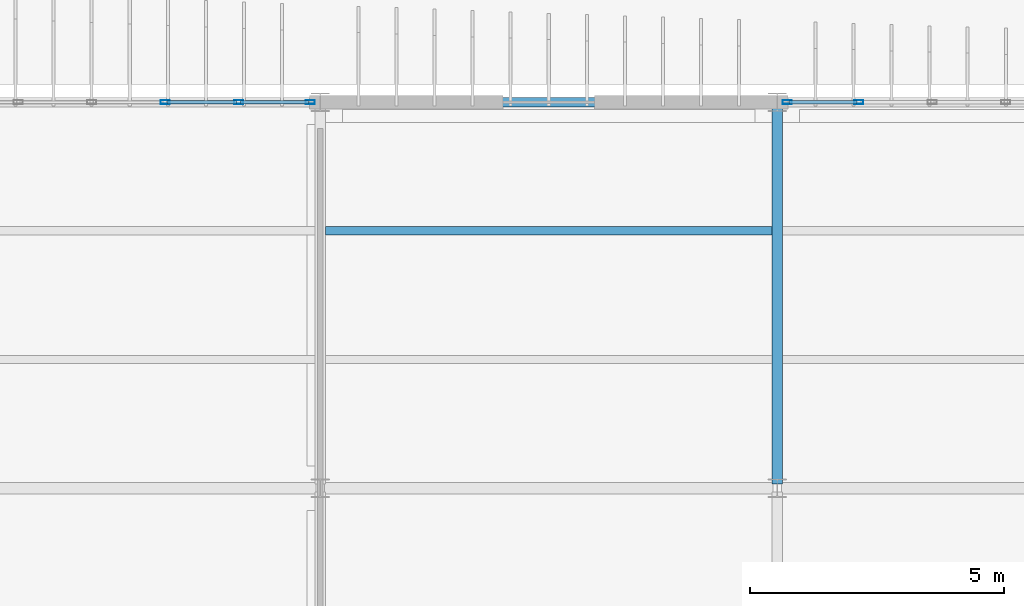
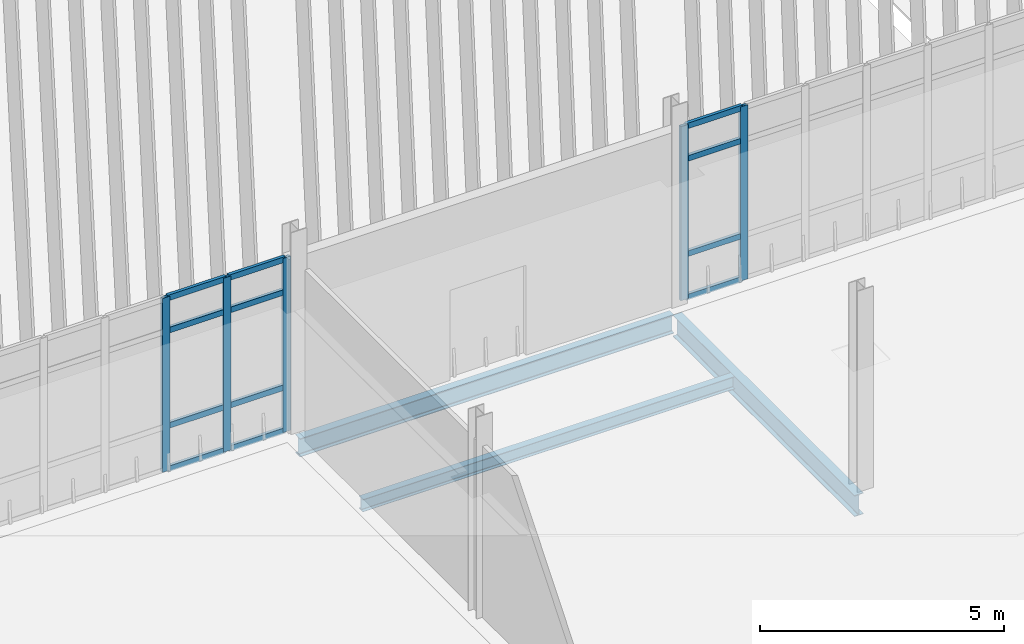
# One storey, part 50 of 161: 17 members, 3 beams, 2 elements without a shape of their own.
"""IFC4 building model written with IfcOpenShell, lengths in metres."""

from ifc_helpers import new_model, si_unit, direction, frame, origin, origin_2d, place, context, subcontext, project, spatial, hollow_rectangle, i_section, extrude, material, material_profile, profile_set, type_object, element, aggregate, save


model = new_model("IFC4")

# Units and contexts
model_context = context("Model", 3, precision=1e-05, world=origin(), true_north=direction((0.0, 1.0)))
body_context = subcontext(model_context, "Body", "Model", "MODEL_VIEW")
ifc_project = project(units=[si_unit("LENGTHUNIT", "METRE"), si_unit("AREAUNIT", "SQUARE_METRE"), si_unit("VOLUMEUNIT", "CUBIC_METRE"), si_unit("PLANEANGLEUNIT", "RADIAN"), si_unit("MASSUNIT", "GRAM", prefix="KILO")], contexts=[model_context])

# Site, building, storey
site_placement = place(None, origin())
site = spatial("IfcSite", under=ifc_project, at=site_placement, CompositionType="ELEMENT")
building_placement = place(site_placement, origin())
building = spatial("IfcBuilding", under=site, at=building_placement, Name="Caisbarro Railhouse Central Library", CompositionType="ELEMENT")
storey_placement = place(building_placement, origin())
storey = spatial("IfcBuildingStorey", under=building, at=storey_placement, Name="L00", CompositionType="ELEMENT", Elevation=0.0)

# Beams
ifc_material_1 = material(Name="Steel ASTM A572 Grade 50", Category="steel")
ifc_material_profile_1 = material_profile(ifc_material_1, i_section(OverallWidth=0.208984375, OverallDepth=0.532958984375, WebThickness=0.01025390625, FlangeThickness=0.015625, FilletRadius=0.02001953125, at=origin_2d()), Name="W530X92.0")
ifc_profile_set_1 = profile_set([ifc_material_profile_1], Name="Steel ASTM A572 Grade 50")
beam_type_1 = type_object("IfcBeamType", Name="BM-G06", PredefinedType="BEAM", material=ifc_profile_set_1)
beam_1_placement = place(storey_placement, frame((45.0, 53.280029296875, -0.5166015625), z_axis=(0.0, 1.0, 0.0), x_axis=(-1.0, 0.0, 0.0)))
element("IfcBeam", 1, at=beam_1_placement, inside=storey, type_object=beam_type_1, Name="G06 beam L00 #306", PredefinedType="BEAM", context=body_context, shape_type="SweptSolid", body=[
    extrude(i_section(OverallWidth=0.208984375, OverallDepth=0.532958984375, WebThickness=0.01025390625, FlangeThickness=0.015625, FilletRadius=0.02001953125, at=origin_2d()), origin(), (0.0, 0.0, 1.0), 7.43994140625),
])
ifc_material_profile_2 = material_profile(ifc_material_1, i_section(OverallWidth=0.1650390625, OverallDepth=0.31005859375, WebThickness=0.005859375, FlangeThickness=0.009765625, FilletRadius=0.011962890625, at=origin_2d()), Name="W310X38.7")
ifc_profile_set_2 = profile_set([ifc_material_profile_2], Name="Steel ASTM A572 Grade 50")
beam_type_2 = type_object("IfcBeamType", Name="BM-J03", PredefinedType="JOIST", material=ifc_profile_set_2)
beam_2_placement = place(storey_placement, frame((36.1044921875, 58.2666015625, -0.405029296875), z_axis=(1.0, 0.0, 0.0), x_axis=(0.0, 1.0, 0.0)))
element("IfcBeam", 2, at=beam_2_placement, inside=storey, type_object=beam_type_2, Name="J03 beam L00 #358", PredefinedType="JOIST", context=body_context, shape_type="SweptSolid", body=[
    extrude(i_section(OverallWidth=0.1650390625, OverallDepth=0.31005859375, WebThickness=0.005859375, FlangeThickness=0.009765625, FilletRadius=0.011962890625, at=origin_2d()), origin(), (0.0, 0.0, 1.0), 8.791015625),
])
ifc_material_profile_3 = material_profile(ifc_material_1, i_section(OverallWidth=0.18994140625, OverallDepth=0.45703125, WebThickness=0.009033203125, FlangeThickness=0.014404296875, FilletRadius=0.01806640625, at=origin_2d()), Name="W460X74.0")
ifc_profile_set_3 = profile_set([ifc_material_profile_3], Name="Steel ASTM A572 Grade 50")
beam_type_3 = type_object("IfcBeamType", Name="BM-SP01", PredefinedType="SPANDREL", material=ifc_profile_set_3)
beam_3_placement = place(storey_placement, frame((36.080078125, 60.800048828125, -0.478515625), z_axis=(1.0, 0.0, 0.0), x_axis=(0.0, 1.0, 0.0)))
element("IfcBeam", 3, at=beam_3_placement, inside=storey, type_object=beam_type_3, Name="SP01 beam L00 #279", PredefinedType="SPANDREL", context=body_context, shape_type="SweptSolid", body=[
    extrude(i_section(OverallWidth=0.18994140625, OverallDepth=0.45703125, WebThickness=0.009033203125, FlangeThickness=0.014404296875, FilletRadius=0.01806640625, at=origin_2d()), origin(), (0.0, 0.0, 1.0), 8.83984375),
])

# Curtain wall, members
ifc_material_2 = material(Name="Anodised architectural aluminium", Category="aluminium")
curtain_wall_type = type_object("IfcCurtainWallType", Name="CW-CW01", PredefinedType="NOTDEFINED", material=ifc_material_2)
curtain_wall_1_placement = place(storey_placement, origin())
curtain_wall_1 = element("IfcCurtainWall", 4, at=curtain_wall_1_placement, inside=storey, type_object=curtain_wall_type, Name="CW01 curtain wall L00 #9", PredefinedType="NOTDEFINED")
ifc_material_profile_4 = material_profile(ifc_material_2, hollow_rectangle(XDim=0.074951171875, YDim=0.179931640625, WallThickness=0.00439453125, at=origin_2d()), Name="ALU-MUL-75X180")
ifc_profile_set_4 = profile_set([ifc_material_profile_4], Name="Anodised architectural aluminium")
member_type_1 = type_object("IfcMemberType", Name="CWM-M01", PredefinedType="MULLION", material=ifc_profile_set_4)
member_1_placement = place(storey_placement, frame((32.94677734375, 60.800048828125, 0.0), z_axis=(0.0, 0.0, 1.0), x_axis=(0.0, 1.0, 0.0)))
member_1 = element("IfcMember", 5, at=member_1_placement, type_object=member_type_1, Name="CW01 mullion 5", PredefinedType="MULLION", context=body_context, shape_type="SweptSolid", body=[
    extrude(hollow_rectangle(XDim=0.074951171875, YDim=0.179931640625, WallThickness=0.00439453125, at=origin_2d()), origin(), (0.0, 0.0, 1.0), 4.35009765625),
])
member_2_placement = place(storey_placement, frame((34.393310546875, 60.800048828125, 0.0), z_axis=(0.0, 0.0, 1.0), x_axis=(0.0, 1.0, 0.0)))
member_2 = element("IfcMember", 6, at=member_2_placement, type_object=member_type_1, Name="CW01 mullion 6", PredefinedType="MULLION", context=body_context, shape_type="SweptSolid", body=[
    extrude(hollow_rectangle(XDim=0.074951171875, YDim=0.179931640625, WallThickness=0.00439453125, at=origin_2d()), origin(), (0.0, 0.0, 1.0), 4.35009765625),
])
member_3_placement = place(storey_placement, frame((35.802490234375, 60.800048828125, 0.0), z_axis=(0.0, 0.0, 1.0), x_axis=(0.0, 1.0, 0.0)))
member_3 = element("IfcMember", 7, at=member_3_placement, type_object=member_type_1, Name="CW01 mullion 7", PredefinedType="MULLION", context=body_context, shape_type="SweptSolid", body=[
    extrude(hollow_rectangle(XDim=0.074951171875, YDim=0.179931640625, WallThickness=0.00439453125, at=origin_2d()), origin(), (0.0, 0.0, 1.0), 4.35009765625),
])

curtain_wall_2_placement = place(storey_placement, origin())
curtain_wall_2 = element("IfcCurtainWall", 8, at=curtain_wall_2_placement, inside=storey, type_object=curtain_wall_type, Name="CW01 curtain wall L00 #14", PredefinedType="NOTDEFINED")
member_4_placement = place(storey_placement, frame((45.197509765625, 60.800048828125, 0.0), z_axis=(0.0, 0.0, 1.0), x_axis=(0.0, 1.0, 0.0)))
member_4 = element("IfcMember", 9, at=member_4_placement, type_object=member_type_1, Name="CW01 mullion 1", PredefinedType="MULLION", context=body_context, shape_type="SweptSolid", body=[
    extrude(hollow_rectangle(XDim=0.074951171875, YDim=0.179931640625, WallThickness=0.00439453125, at=origin_2d()), origin(), (0.0, 0.0, 1.0), 4.35009765625),
])
member_5_placement = place(storey_placement, frame((46.606689453125, 60.800048828125, 0.0), z_axis=(0.0, 0.0, 1.0), x_axis=(0.0, 1.0, 0.0)))
member_5 = element("IfcMember", 10, at=member_5_placement, type_object=member_type_1, Name="CW01 mullion 2", PredefinedType="MULLION", context=body_context, shape_type="SweptSolid", body=[
    extrude(hollow_rectangle(XDim=0.074951171875, YDim=0.179931640625, WallThickness=0.00439453125, at=origin_2d()), origin(), (0.0, 0.0, 1.0), 4.35009765625),
])

# Member
ifc_material_profile_5 = material_profile(ifc_material_2, hollow_rectangle(XDim=0.074951171875, YDim=0.139892578125, WallThickness=0.00390625, at=origin_2d()), Name="ALU-TRN-75X140")
ifc_profile_set_5 = profile_set([ifc_material_profile_5], Name="Anodised architectural aluminium")
member_type_2 = type_object("IfcMemberType", Name="CWT-T01", PredefinedType="USERDEFINED", material=ifc_profile_set_5)
member_6_placement = place(storey_placement, frame((32.984130859375, 60.800048828125, 0.03759765625), z_axis=(1.0, 0.0, 0.0), x_axis=(0.0, 1.0, 0.0)))
member_6 = element("IfcMember", 11, at=member_6_placement, type_object=member_type_2, Name="CW01 transom 5.1", ObjectType="TRANSOM", PredefinedType="USERDEFINED", context=body_context, shape_type="SweptSolid", body=[
    extrude(hollow_rectangle(XDim=0.074951171875, YDim=0.139892578125, WallThickness=0.00390625, at=origin_2d()), origin(), (0.0, 0.0, 1.0), 1.37158203125),
])

member_7_placement = place(storey_placement, frame((32.984130859375, 60.800048828125, 1.1201171875), z_axis=(1.0, 0.0, 0.0), x_axis=(0.0, 1.0, 0.0)))
member_7 = element("IfcMember", 12, at=member_7_placement, type_object=member_type_2, Name="CW01 transom 5.2", ObjectType="TRANSOM", PredefinedType="USERDEFINED", context=body_context, shape_type="SweptSolid", body=[
    extrude(hollow_rectangle(XDim=0.074951171875, YDim=0.139892578125, WallThickness=0.00390625, at=origin_2d()), origin(), (0.0, 0.0, 1.0), 1.37158203125),
])

member_8_placement = place(storey_placement, frame((32.984130859375, 60.800048828125, 3.5), z_axis=(1.0, 0.0, 0.0), x_axis=(0.0, 1.0, 0.0)))
member_8 = element("IfcMember", 13, at=member_8_placement, type_object=member_type_2, Name="CW01 transom 5.3", ObjectType="TRANSOM", PredefinedType="USERDEFINED", context=body_context, shape_type="SweptSolid", body=[
    extrude(hollow_rectangle(XDim=0.074951171875, YDim=0.139892578125, WallThickness=0.00390625, at=origin_2d()), origin(), (0.0, 0.0, 1.0), 1.37158203125),
])

member_9_placement = place(storey_placement, frame((32.984130859375, 60.800048828125, 4.3125), z_axis=(1.0, 0.0, 0.0), x_axis=(0.0, 1.0, 0.0)))
member_9 = element("IfcMember", 14, at=member_9_placement, type_object=member_type_2, Name="CW01 transom 5.4", ObjectType="TRANSOM", PredefinedType="USERDEFINED", context=body_context, shape_type="SweptSolid", body=[
    extrude(hollow_rectangle(XDim=0.074951171875, YDim=0.139892578125, WallThickness=0.00390625, at=origin_2d()), origin(), (0.0, 0.0, 1.0), 1.37158203125),
])

member_10_placement = place(storey_placement, frame((34.430908203125, 60.800048828125, 0.03759765625), z_axis=(1.0, 0.0, 0.0), x_axis=(0.0, 1.0, 0.0)))
member_10 = element("IfcMember", 15, at=member_10_placement, type_object=member_type_2, Name="CW01 transom 6.1", ObjectType="TRANSOM", PredefinedType="USERDEFINED", context=body_context, shape_type="SweptSolid", body=[
    extrude(hollow_rectangle(XDim=0.074951171875, YDim=0.139892578125, WallThickness=0.00390625, at=origin_2d()), origin(), (0.0, 0.0, 1.0), 1.333984375),
])

member_11_placement = place(storey_placement, frame((34.430908203125, 60.800048828125, 1.1201171875), z_axis=(1.0, 0.0, 0.0), x_axis=(0.0, 1.0, 0.0)))
member_11 = element("IfcMember", 16, at=member_11_placement, type_object=member_type_2, Name="CW01 transom 6.2", ObjectType="TRANSOM", PredefinedType="USERDEFINED", context=body_context, shape_type="SweptSolid", body=[
    extrude(hollow_rectangle(XDim=0.074951171875, YDim=0.139892578125, WallThickness=0.00390625, at=origin_2d()), origin(), (0.0, 0.0, 1.0), 1.333984375),
])

member_12_placement = place(storey_placement, frame((34.430908203125, 60.800048828125, 3.5), z_axis=(1.0, 0.0, 0.0), x_axis=(0.0, 1.0, 0.0)))
member_12 = element("IfcMember", 17, at=member_12_placement, type_object=member_type_2, Name="CW01 transom 6.3", ObjectType="TRANSOM", PredefinedType="USERDEFINED", context=body_context, shape_type="SweptSolid", body=[
    extrude(hollow_rectangle(XDim=0.074951171875, YDim=0.139892578125, WallThickness=0.00390625, at=origin_2d()), origin(), (0.0, 0.0, 1.0), 1.333984375),
])

member_13_placement = place(storey_placement, frame((34.430908203125, 60.800048828125, 4.3125), z_axis=(1.0, 0.0, 0.0), x_axis=(0.0, 1.0, 0.0)))
member_13 = element("IfcMember", 18, at=member_13_placement, type_object=member_type_2, Name="CW01 transom 6.4", ObjectType="TRANSOM", PredefinedType="USERDEFINED", context=body_context, shape_type="SweptSolid", body=[
    extrude(hollow_rectangle(XDim=0.074951171875, YDim=0.139892578125, WallThickness=0.00390625, at=origin_2d()), origin(), (0.0, 0.0, 1.0), 1.333984375),
])

aggregate(curtain_wall_1, [member_1, member_2, member_3, member_6, member_7, member_8, member_9, member_10, member_11, member_12, member_13])

member_14_placement = place(storey_placement, frame((45.235107421875, 60.800048828125, 0.03759765625), z_axis=(1.0, 0.0, 0.0), x_axis=(0.0, 1.0, 0.0)))
member_14 = element("IfcMember", 19, at=member_14_placement, type_object=member_type_2, Name="CW01 transom 1.1", ObjectType="TRANSOM", PredefinedType="USERDEFINED", context=body_context, shape_type="SweptSolid", body=[
    extrude(hollow_rectangle(XDim=0.074951171875, YDim=0.139892578125, WallThickness=0.00390625, at=origin_2d()), origin(), (0.0, 0.0, 1.0), 1.333984375),
])

member_15_placement = place(storey_placement, frame((45.235107421875, 60.800048828125, 1.1201171875), z_axis=(1.0, 0.0, 0.0), x_axis=(0.0, 1.0, 0.0)))
member_15 = element("IfcMember", 20, at=member_15_placement, type_object=member_type_2, Name="CW01 transom 1.2", ObjectType="TRANSOM", PredefinedType="USERDEFINED", context=body_context, shape_type="SweptSolid", body=[
    extrude(hollow_rectangle(XDim=0.074951171875, YDim=0.139892578125, WallThickness=0.00390625, at=origin_2d()), origin(), (0.0, 0.0, 1.0), 1.333984375),
])

member_16_placement = place(storey_placement, frame((45.235107421875, 60.800048828125, 3.5), z_axis=(1.0, 0.0, 0.0), x_axis=(0.0, 1.0, 0.0)))
member_16 = element("IfcMember", 21, at=member_16_placement, type_object=member_type_2, Name="CW01 transom 1.3", ObjectType="TRANSOM", PredefinedType="USERDEFINED", context=body_context, shape_type="SweptSolid", body=[
    extrude(hollow_rectangle(XDim=0.074951171875, YDim=0.139892578125, WallThickness=0.00390625, at=origin_2d()), origin(), (0.0, 0.0, 1.0), 1.333984375),
])

member_17_placement = place(storey_placement, frame((45.235107421875, 60.800048828125, 4.3125), z_axis=(1.0, 0.0, 0.0), x_axis=(0.0, 1.0, 0.0)))
member_17 = element("IfcMember", 22, at=member_17_placement, type_object=member_type_2, Name="CW01 transom 1.4", ObjectType="TRANSOM", PredefinedType="USERDEFINED", context=body_context, shape_type="SweptSolid", body=[
    extrude(hollow_rectangle(XDim=0.074951171875, YDim=0.139892578125, WallThickness=0.00390625, at=origin_2d()), origin(), (0.0, 0.0, 1.0), 1.333984375),
])

aggregate(curtain_wall_2, [member_4, member_5, member_14, member_15, member_16, member_17])

save(model, "model.ifc")
